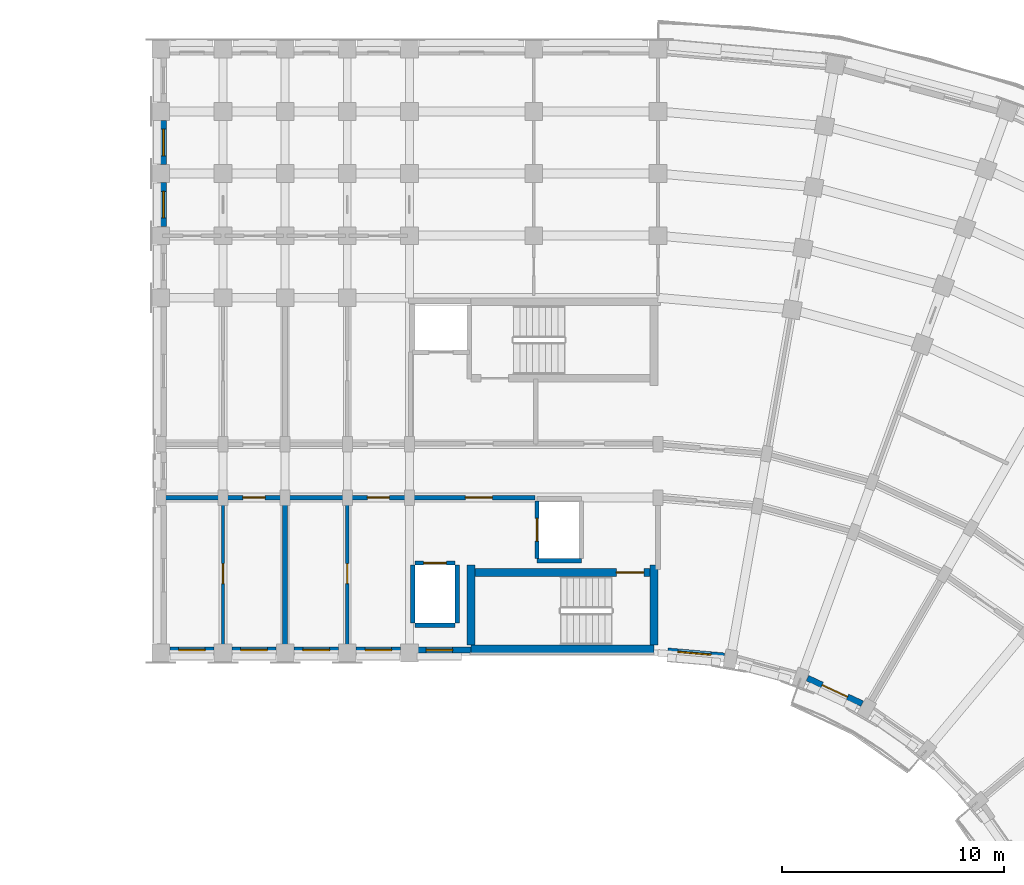
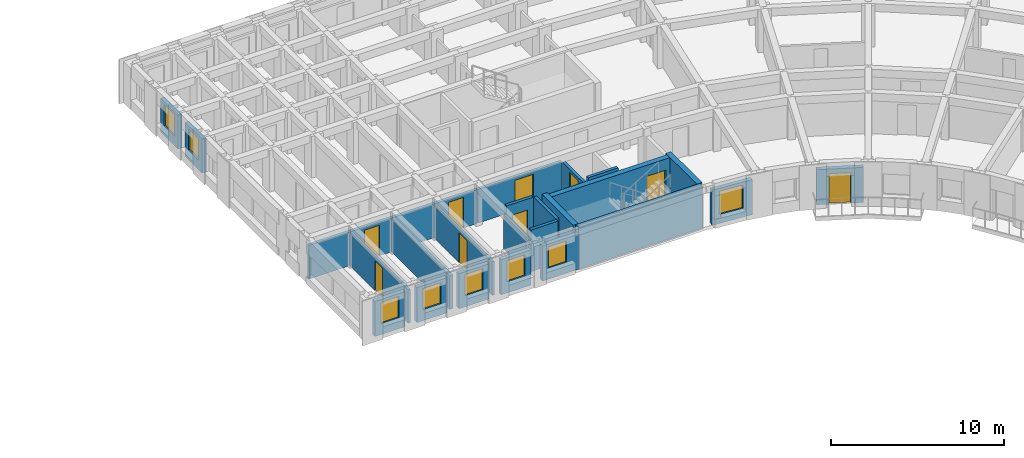
# One storey, part 28 of 54: 27 walls, 9 doors, 8 windows, 17 openings.
"""IFC4 building model written with IfcOpenShell, lengths in metres."""

from ifc_helpers import new_model, si_unit, direction, frame, frame_2d, origin, place, context, subcontext, project, spatial, rectangle, extrude, material, layer, layer_set, type_object, element, fill, save


model = new_model("IFC4")

# Units and contexts
model_context = context("Model", 3, precision=1e-05, world=origin(), true_north=direction((0.0, 1.0)))
body_context = subcontext(model_context, "Body", "Model", "MODEL_VIEW")
ifc_project = project(units=[si_unit("LENGTHUNIT", "METRE"), si_unit("AREAUNIT", "SQUARE_METRE"), si_unit("VOLUMEUNIT", "CUBIC_METRE"), si_unit("PLANEANGLEUNIT", "RADIAN"), si_unit("MASSUNIT", "GRAM", prefix="KILO")], contexts=[model_context])

# Site, building, storey
site_placement = place(None, origin())
site = spatial("IfcSite", under=ifc_project, at=site_placement, CompositionType="ELEMENT")
building_placement = place(site_placement, origin())
building = spatial("IfcBuilding", under=site, at=building_placement, Name="Kiranvali Square Residences", CompositionType="ELEMENT")
storey_placement = place(building_placement, frame((0.0, 0.0, 15.0)))
storey = spatial("IfcBuildingStorey", under=building, at=storey_placement, Name="L04", CompositionType="ELEMENT", Elevation=15.0)

# Wall, opening, door
ifc_material_1 = material(Name="Autoclaved aerated concrete blockwork masonry", Category="masonry")
ifc_layer_1 = layer(ifc_material_1, 0.199951171875)
ifc_layer_set_1 = layer_set([ifc_layer_1], Name="Autoclaved aerated concrete blockwork masonry")
wall_type_1 = type_object("IfcWallType", Name="WL-COR-200", PredefinedType="STANDARD", material=ifc_layer_set_1)
wall_1_placement = place(storey_placement, frame((114.25, 113.60009765625, 0.0), z_axis=(0.0, 0.0, 1.0), x_axis=(-1.0, 0.0, 0.0)))
wall_1 = element("IfcWall", 1, at=wall_1_placement, inside=storey, type_object=wall_type_1, Name="L04 architectural wall WL-L04-B-LL-COR", PredefinedType="STANDARD", context=body_context, shape_type="SweptSolid", body=[
    extrude(rectangle(XDim=5.60009765625, YDim=0.199951171875, at=frame_2d((2.800048828125, 0.0))), origin(), (0.0, 0.0, 1.0), 2.3720703125),
])
opening_1_placement = place(wall_1_placement, frame((1.909912109375, 0.0, 0.0)))
opening_1 = element("IfcOpeningElement", 2, at=opening_1_placement, cuts=wall_1, Name="Opening FD-COR-60", PredefinedType="OPENING", context=body_context, shape_type="SweptSolid", body=[
    extrude(rectangle(XDim=1.219970703125, YDim=2.14990234375, at=frame_2d((0.60986328125, 1.074951171875))), frame((0.0, 0.10986328125, 0.0), z_axis=(0.0, -1.0, 0.0), x_axis=(1.0, 0.0, 0.0)), (0.0, 0.0, 1.0), 0.219970703125),
])
ifc_material_2 = material(Name="Fire-rated acoustic hardwood and mineral-core door assembly", Category="wood")
door_type_1 = type_object("IfcDoorType", Name="DR-FD60-1200", OperationType="NOTDEFINED", PredefinedType="DOOR", material=ifc_material_2)
door_1_placement = place(opening_1_placement, origin())
door_1 = element("IfcDoor", 3, at=door_1_placement, inside=storey, type_object=door_type_1, Name="L04 door DR-L04-1203 (DR-FD60-1200)", OperationType="SINGLE_SWING_LEFT", OverallHeight=2.14990234375, OverallWidth=1.219970703125, PredefinedType="DOOR", context=body_context, shape_type="SweptSolid", body=[
    extrude(rectangle(XDim=1.219970703125, YDim=2.14990234375, at=frame_2d((0.60986328125, 1.074951171875))), frame((0.0, 0.02490234375, 0.0), z_axis=(0.0, -1.0, 0.0), x_axis=(1.0, 0.0, 0.0)), (0.0, 0.0, 1.0), 0.050048828125),
])
fill(opening_1, door_1)

wall_2_placement = place(storey_placement, frame((108.60009765625, 113.60009765625, 0.0), z_axis=(0.0, 0.0, 1.0), x_axis=(-1.0, 0.0, 0.0)))
wall_2 = element("IfcWall", 4, at=wall_2_placement, inside=storey, type_object=wall_type_1, Name="L04 architectural wall WL-L04-B-A1CI-0", PredefinedType="STANDARD", context=body_context, shape_type="SweptSolid", body=[
    extrude(rectangle(XDim=2.800048828125, YDim=0.199951171875, at=frame_2d((1.39990234375, 0.0))), origin(), (0.0, 0.0, 1.0), 2.3720703125),
])
opening_2_placement = place(wall_2_placement, frame((0.89990234375, 0.0, 0.0)))
opening_2 = element("IfcOpeningElement", 5, at=opening_2_placement, cuts=wall_2, Name="Opening FD-APT-60", PredefinedType="OPENING", context=body_context, shape_type="SweptSolid", body=[
    extrude(rectangle(XDim=1.0, YDim=2.14990234375, at=frame_2d((0.5, 1.074951171875))), frame((0.0, 0.10986328125, 0.0), z_axis=(0.0, -1.0, 0.0), x_axis=(1.0, 0.0, 0.0)), (0.0, 0.0, 1.0), 0.219970703125),
])
door_type_2 = type_object("IfcDoorType", Name="DR-APT-1000", OperationType="NOTDEFINED", PredefinedType="DOOR", material=ifc_material_2)
door_2_placement = place(opening_2_placement, origin())
door_2 = element("IfcDoor", 6, at=door_2_placement, inside=storey, type_object=door_type_2, Name="L04 door DR-L04-1207 (DR-APT-1000)", OperationType="SINGLE_SWING_LEFT", OverallHeight=2.14990234375, OverallWidth=1.0, PredefinedType="DOOR", context=body_context, shape_type="SweptSolid", body=[
    extrude(rectangle(XDim=1.0, YDim=2.14990234375, at=frame_2d((0.5, 1.074951171875))), frame((0.0, 0.02490234375, 0.0), z_axis=(0.0, -1.0, 0.0), x_axis=(1.0, 0.0, 0.0)), (0.0, 0.0, 1.0), 0.050048828125),
])
fill(opening_2, door_2)

# Wall
wall_3_placement = place(storey_placement, frame((105.800048828125, 113.60009765625, 0.0), z_axis=(0.0, 0.0, 1.0), x_axis=(-1.0, 0.0, 0.0)))
element("IfcWall", 7, at=wall_3_placement, inside=storey, type_object=wall_type_1, Name="L04 architectural wall WL-L04-B-A1CI-1", PredefinedType="STANDARD", context=body_context, shape_type="SweptSolid", body=[
    extrude(rectangle(XDim=2.800048828125, YDim=0.199951171875, at=frame_2d((1.39990234375, 0.0))), origin(), (0.0, 0.0, 1.0), 2.3720703125),
])

# Wall, opening, door
wall_4_placement = place(storey_placement, frame((103.0, 113.60009765625, 0.0), z_axis=(0.0, 0.0, 1.0), x_axis=(-1.0, 0.0, 0.0)))
wall_4 = element("IfcWall", 8, at=wall_4_placement, inside=storey, type_object=wall_type_1, Name="L04 architectural wall WL-L04-B-A1CI-2", PredefinedType="STANDARD", context=body_context, shape_type="SweptSolid", body=[
    extrude(rectangle(XDim=2.800048828125, YDim=0.199951171875, at=frame_2d((1.39990234375, 0.0))), origin(), (0.0, 0.0, 1.0), 2.3720703125),
])
opening_3_placement = place(wall_4_placement, frame((0.89990234375, 0.0, 0.0)))
opening_3 = element("IfcOpeningElement", 9, at=opening_3_placement, cuts=wall_4, Name="Opening FD-APT-60", PredefinedType="OPENING", context=body_context, shape_type="SweptSolid", body=[
    extrude(rectangle(XDim=1.0, YDim=2.14990234375, at=frame_2d((0.5, 1.074951171875))), frame((0.0, 0.10986328125, 0.0), z_axis=(0.0, -1.0, 0.0), x_axis=(1.0, 0.0, 0.0)), (0.0, 0.0, 1.0), 0.219970703125),
])
door_3_placement = place(opening_3_placement, origin())
door_3 = element("IfcDoor", 10, at=door_3_placement, inside=storey, type_object=door_type_2, Name="L04 door DR-L04-1211 (DR-APT-1000)", OperationType="SINGLE_SWING_LEFT", OverallHeight=2.14990234375, OverallWidth=1.0, PredefinedType="DOOR", context=body_context, shape_type="SweptSolid", body=[
    extrude(rectangle(XDim=1.0, YDim=2.14990234375, at=frame_2d((0.5, 1.074951171875))), frame((0.0, 0.02490234375, 0.0), z_axis=(0.0, -1.0, 0.0), x_axis=(1.0, 0.0, 0.0)), (0.0, 0.0, 1.0), 0.050048828125),
])
fill(opening_3, door_3)

# Walls
wall_5_placement = place(storey_placement, frame((100.199951171875, 113.60009765625, 0.0), z_axis=(0.0, 0.0, 1.0), x_axis=(-1.0, 0.0, 0.0)))
element("IfcWall", 11, at=wall_5_placement, inside=storey, type_object=wall_type_1, Name="L04 architectural wall WL-L04-B-A1CI-3", PredefinedType="STANDARD", context=body_context, shape_type="SweptSolid", body=[
    extrude(rectangle(XDim=2.800048828125, YDim=0.199951171875, at=frame_2d((1.39990234375, 0.0))), origin(), (0.0, 0.0, 1.0), 2.3720703125),
])
ifc_layer_2 = layer(ifc_material_1, 0.219970703125)
ifc_layer_set_2 = layer_set([ifc_layer_2], Name="Autoclaved aerated concrete blockwork masonry")
wall_type_2 = type_object("IfcWallType", Name="WL-DEM-220", PredefinedType="STANDARD", material=ifc_layer_set_2)
wall_6_placement = place(storey_placement, frame((103.0, 106.800048828125, 0.0), z_axis=(0.0, 0.0, 1.0), x_axis=(0.0, 1.0, 0.0)))
element("IfcWall", 12, at=wall_6_placement, inside=storey, type_object=wall_type_2, Name="L04 architectural wall WL-L04-B-A1TI-2", PredefinedType="STANDARD", context=body_context, shape_type="SweptSolid", body=[
    extrude(rectangle(XDim=6.75, YDim=0.219970703125, at=frame_2d((3.375, 0.0))), origin(), (0.0, 0.0, 1.0), 2.3720703125),
])

# Wall, opening, window
ifc_material_3 = material(Name="Breathable lime-rendered clay brick masonry", Category="masonry")
ifc_layer_3 = layer(ifc_material_3, 0.27490234375)
ifc_layer_set_3 = layer_set([ifc_layer_3], Name="Breathable lime-rendered clay brick masonry")
wall_type_3 = type_object("IfcWallType", Name="WL-EXT-275", PredefinedType="STANDARD", material=ifc_layer_set_3)
wall_7_placement = place(storey_placement, frame((120.249267578125, 106.686279296875, 0.0), z_axis=(0.0, 0.0, 1.0), x_axis=(0.996194235595, -0.08716102895, 0.0)))
wall_7 = element("IfcWall", 13, at=wall_7_placement, inside=storey, type_object=wall_type_3, Name="L04 exterior wall B-L04-GDN-00", PredefinedType="STANDARD", context=body_context, shape_type="SweptSolid", body=[
    extrude(rectangle(XDim=2.557373046875, YDim=0.27490234375, at=frame_2d((1.27880859375, 0.0))), origin(), (0.0, 0.0, 1.0), 2.471923828125),
])
opening_4_placement = place(wall_7_placement, frame((0.448486328125, 0.0, 0.6220703125)))
opening_4 = element("IfcOpeningElement", 14, at=opening_4_placement, cuts=wall_7, Name="Opening W-05", PredefinedType="OPENING", context=body_context, shape_type="SweptSolid", body=[
    extrude(rectangle(XDim=1.5, YDim=1.64990234375, at=frame_2d((0.75, 0.824951171875))), frame((0.0, 0.1474609375, 0.0), z_axis=(0.0, -1.0, 0.0), x_axis=(1.0, 0.0, 0.0)), (0.0, 0.0, 1.0), 0.294921875),
])
ifc_material_4 = material(Name="Solar-control low-e double glazing", Category="glass")
window_type_1 = type_object("IfcWindowType", Name="WIN-RES-1500x1650", PartitioningType="DOUBLE_PANEL_VERTICAL", PredefinedType="WINDOW", material=ifc_material_4)
window_1_placement = place(opening_4_placement, origin())
window_1 = element("IfcWindow", 15, at=window_1_placement, inside=storey, type_object=window_type_1, Name="L04 recessed window B-L04-GDN-00", OverallHeight=1.64990234375, OverallWidth=1.5, PartitioningType="DOUBLE_PANEL_VERTICAL", PredefinedType="WINDOW", context=body_context, shape_type="SweptSolid", body=[
    extrude(rectangle(XDim=1.5, YDim=1.64990234375, at=frame_2d((0.75, 0.824951171875))), frame((0.0, 0.030029296875, 0.0), z_axis=(0.0, -1.0, 0.0), x_axis=(1.0, 0.0, 0.0)), (0.0, 0.0, 1.0), 0.06005859375),
])
fill(opening_4, window_1)

# Wall, opening, door
wall_8_placement = place(storey_placement, frame((126.536376953125, 105.461181640625, 0.0), z_axis=(0.0, 0.0, 1.0), x_axis=(0.906311629168, -0.422610022166, 0.0)))
wall_8 = element("IfcWall", 16, at=wall_8_placement, inside=storey, type_object=wall_type_3, Name="L04 exterior wall B-L04-GDN-02", PredefinedType="STANDARD", context=body_context, shape_type="SweptSolid", body=[
    extrude(rectangle(XDim=2.717529296875, YDim=0.27490234375, at=frame_2d((1.35888671875, 0.0))), origin(), (0.0, 0.0, 1.0), 2.471923828125),
])
opening_5_placement = place(wall_8_placement, frame((0.728759765625, 0.0, 0.0)))
opening_5 = element("IfcOpeningElement", 17, at=opening_5_placement, cuts=wall_8, Name="Opening ED-BAL-2", PredefinedType="OPENING", context=body_context, shape_type="SweptSolid", body=[
    extrude(rectangle(XDim=1.260009765625, YDim=2.14990234375, at=frame_2d((0.6298828125, 1.074951171875))), frame((0.0, 0.1474609375, 0.0), z_axis=(0.0, -1.0, 0.0), x_axis=(1.0, 0.0, 0.0)), (0.0, 0.0, 1.0), 0.294921875),
])
ifc_material_5 = material(Name="Anodised bronze aluminium framing", Category="aluminium")
door_type_3 = type_object("IfcDoorType", Name="DR-BAL-1260", OperationType="NOTDEFINED", PredefinedType="DOOR", material=ifc_material_5)
door_4_placement = place(opening_5_placement, frame((1.260009765625, 0.0, 0.0), z_axis=(0.0, 0.0, 1.0), x_axis=(-1.0, 0.0, 0.0)))
door_4 = element("IfcDoor", 18, at=door_4_placement, inside=storey, type_object=door_type_3, Name="L04 balcony terrace door", OperationType="SINGLE_SWING_RIGHT", OverallHeight=2.14990234375, OverallWidth=1.260009765625, PredefinedType="DOOR", context=body_context, shape_type="SweptSolid", body=[
    extrude(rectangle(XDim=1.260009765625, YDim=2.14990234375, at=frame_2d((0.6298828125, 1.074951171875))), frame((0.0, 0.02490234375, 0.0), z_axis=(0.0, -1.0, 0.0), x_axis=(1.0, 0.0, 0.0)), (0.0, 0.0, 1.0), 0.050048828125),
])
fill(opening_5, door_4)

# Wall, opening, window
wall_9_placement = place(storey_placement, frame((111.37158203125, 106.72509765625, 0.0), z_axis=(0.0, 0.0, 1.0), x_axis=(-1.0, 0.0, 0.0)))
wall_9 = element("IfcWall", 19, at=wall_9_placement, inside=storey, type_object=wall_type_3, Name="L04 exterior wall B-L04-A1IN-0", PredefinedType="STANDARD", context=body_context, shape_type="SweptSolid", body=[
    extrude(rectangle(XDim=2.421630859375, YDim=0.27490234375, at=frame_2d((1.2109375, 0.0))), origin(), (0.0, 0.0, 1.0), 2.471923828125),
])
opening_6_placement = place(wall_9_placement, frame((0.821533203125, 0.0, 0.77197265625)))
opening_6 = element("IfcOpeningElement", 20, at=opening_6_placement, cuts=wall_9, Name="Opening W-06", PredefinedType="OPENING", context=body_context, shape_type="SweptSolid", body=[
    extrude(rectangle(XDim=1.199951171875, YDim=1.5, at=frame_2d((0.60009765625, 0.75))), frame((0.0, 0.1474609375, 0.0), z_axis=(0.0, -1.0, 0.0), x_axis=(1.0, 0.0, 0.0)), (0.0, 0.0, 1.0), 0.294921875),
])
window_type_2 = type_object("IfcWindowType", Name="WIN-RES-1200x1500", PartitioningType="SINGLE_PANEL", PredefinedType="WINDOW", material=ifc_material_4)
window_2_placement = place(opening_6_placement, origin())
window_2 = element("IfcWindow", 21, at=window_2_placement, inside=storey, type_object=window_type_2, Name="L04 recessed window B-L04-A1IN-0", OverallHeight=1.5, OverallWidth=1.199951171875, PartitioningType="SINGLE_PANEL", PredefinedType="WINDOW", context=body_context, shape_type="SweptSolid", body=[
    extrude(rectangle(XDim=1.199951171875, YDim=1.5, at=frame_2d((0.60009765625, 0.75))), frame((0.0, 0.030029296875, 0.0), z_axis=(0.0, -1.0, 0.0), x_axis=(1.0, 0.0, 0.0)), (0.0, 0.0, 1.0), 0.06005859375),
])
fill(opening_6, window_2)

wall_10_placement = place(storey_placement, frame((108.196533203125, 106.72509765625, 0.0), z_axis=(0.0, 0.0, 1.0), x_axis=(-1.0, 0.0, 0.0)))
wall_10 = element("IfcWall", 22, at=wall_10_placement, inside=storey, type_object=wall_type_3, Name="L04 exterior wall B-L04-A1I-0", PredefinedType="STANDARD", context=body_context, shape_type="SweptSolid", body=[
    extrude(rectangle(XDim=1.992919921875, YDim=0.27490234375, at=frame_2d((0.99658203125, 0.0))), origin(), (0.0, 0.0, 1.0), 2.471923828125),
])
opening_7_placement = place(wall_10_placement, frame((0.396484375, 0.0, 0.77197265625)))
opening_7 = element("IfcOpeningElement", 23, at=opening_7_placement, cuts=wall_10, Name="Opening W-06", PredefinedType="OPENING", context=body_context, shape_type="SweptSolid", body=[
    extrude(rectangle(XDim=1.199951171875, YDim=1.5, at=frame_2d((0.60009765625, 0.75))), frame((0.0, 0.1474609375, 0.0), z_axis=(0.0, -1.0, 0.0), x_axis=(1.0, 0.0, 0.0)), (0.0, 0.0, 1.0), 0.294921875),
])
window_3_placement = place(opening_7_placement, origin())
window_3 = element("IfcWindow", 24, at=window_3_placement, inside=storey, type_object=window_type_2, Name="L04 recessed window B-L04-A1I-0", OverallHeight=1.5, OverallWidth=1.199951171875, PartitioningType="SINGLE_PANEL", PredefinedType="WINDOW", context=body_context, shape_type="SweptSolid", body=[
    extrude(rectangle(XDim=1.199951171875, YDim=1.5, at=frame_2d((0.60009765625, 0.75))), frame((0.0, 0.030029296875, 0.0), z_axis=(0.0, -1.0, 0.0), x_axis=(1.0, 0.0, 0.0)), (0.0, 0.0, 1.0), 0.06005859375),
])
fill(opening_7, window_3)

wall_11_placement = place(storey_placement, frame((105.396484375, 106.72509765625, 0.0), z_axis=(0.0, 0.0, 1.0), x_axis=(-1.0, 0.0, 0.0)))
wall_11 = element("IfcWall", 25, at=wall_11_placement, inside=storey, type_object=wall_type_3, Name="L04 exterior wall B-L04-A1I-1", PredefinedType="STANDARD", context=body_context, shape_type="SweptSolid", body=[
    extrude(rectangle(XDim=1.992919921875, YDim=0.27490234375, at=frame_2d((0.99658203125, 0.0))), origin(), (0.0, 0.0, 1.0), 2.471923828125),
])
opening_8_placement = place(wall_11_placement, frame((0.396484375, 0.0, 0.77197265625)))
opening_8 = element("IfcOpeningElement", 26, at=opening_8_placement, cuts=wall_11, Name="Opening W-06", PredefinedType="OPENING", context=body_context, shape_type="SweptSolid", body=[
    extrude(rectangle(XDim=1.199951171875, YDim=1.5, at=frame_2d((0.60009765625, 0.75))), frame((0.0, 0.1474609375, 0.0), z_axis=(0.0, -1.0, 0.0), x_axis=(1.0, 0.0, 0.0)), (0.0, 0.0, 1.0), 0.294921875),
])
window_4_placement = place(opening_8_placement, origin())
window_4 = element("IfcWindow", 27, at=window_4_placement, inside=storey, type_object=window_type_2, Name="L04 recessed window B-L04-A1I-1", OverallHeight=1.5, OverallWidth=1.199951171875, PartitioningType="SINGLE_PANEL", PredefinedType="WINDOW", context=body_context, shape_type="SweptSolid", body=[
    extrude(rectangle(XDim=1.199951171875, YDim=1.5, at=frame_2d((0.60009765625, 0.75))), frame((0.0, 0.030029296875, 0.0), z_axis=(0.0, -1.0, 0.0), x_axis=(1.0, 0.0, 0.0)), (0.0, 0.0, 1.0), 0.06005859375),
])
fill(opening_8, window_4)

wall_12_placement = place(storey_placement, frame((102.596435546875, 106.72509765625, 0.0), z_axis=(0.0, 0.0, 1.0), x_axis=(-1.0, 0.0, 0.0)))
wall_12 = element("IfcWall", 28, at=wall_12_placement, inside=storey, type_object=wall_type_3, Name="L04 exterior wall B-L04-A1I-2", PredefinedType="STANDARD", context=body_context, shape_type="SweptSolid", body=[
    extrude(rectangle(XDim=1.992919921875, YDim=0.27490234375, at=frame_2d((0.99658203125, 0.0))), origin(), (0.0, 0.0, 1.0), 2.471923828125),
])
opening_9_placement = place(wall_12_placement, frame((0.396484375, 0.0, 0.77197265625)))
opening_9 = element("IfcOpeningElement", 29, at=opening_9_placement, cuts=wall_12, Name="Opening W-06", PredefinedType="OPENING", context=body_context, shape_type="SweptSolid", body=[
    extrude(rectangle(XDim=1.199951171875, YDim=1.5, at=frame_2d((0.60009765625, 0.75))), frame((0.0, 0.1474609375, 0.0), z_axis=(0.0, -1.0, 0.0), x_axis=(1.0, 0.0, 0.0)), (0.0, 0.0, 1.0), 0.294921875),
])
window_5_placement = place(opening_9_placement, origin())
window_5 = element("IfcWindow", 30, at=window_5_placement, inside=storey, type_object=window_type_2, Name="L04 recessed window B-L04-A1I-2", OverallHeight=1.5, OverallWidth=1.199951171875, PartitioningType="SINGLE_PANEL", PredefinedType="WINDOW", context=body_context, shape_type="SweptSolid", body=[
    extrude(rectangle(XDim=1.199951171875, YDim=1.5, at=frame_2d((0.60009765625, 0.75))), frame((0.0, 0.030029296875, 0.0), z_axis=(0.0, -1.0, 0.0), x_axis=(1.0, 0.0, 0.0)), (0.0, 0.0, 1.0), 0.06005859375),
])
fill(opening_9, window_5)

wall_13_placement = place(storey_placement, frame((99.79638671875, 106.72509765625, 0.0), z_axis=(0.0, 0.0, 1.0), x_axis=(-1.0, 0.0, 0.0)))
wall_13 = element("IfcWall", 31, at=wall_13_placement, inside=storey, type_object=wall_type_3, Name="L04 exterior wall B-L04-A1I-3", PredefinedType="STANDARD", context=body_context, shape_type="SweptSolid", body=[
    extrude(rectangle(XDim=1.992919921875, YDim=0.27490234375, at=frame_2d((0.99658203125, 0.0))), origin(), (0.0, 0.0, 1.0), 2.471923828125),
])
opening_10_placement = place(wall_13_placement, frame((0.396484375, 0.0, 0.77197265625)))
opening_10 = element("IfcOpeningElement", 32, at=opening_10_placement, cuts=wall_13, Name="Opening W-06", PredefinedType="OPENING", context=body_context, shape_type="SweptSolid", body=[
    extrude(rectangle(XDim=1.199951171875, YDim=1.5, at=frame_2d((0.60009765625, 0.75))), frame((0.0, 0.1474609375, 0.0), z_axis=(0.0, -1.0, 0.0), x_axis=(1.0, 0.0, 0.0)), (0.0, 0.0, 1.0), 0.294921875),
])
window_6_placement = place(opening_10_placement, origin())
window_6 = element("IfcWindow", 33, at=window_6_placement, inside=storey, type_object=window_type_2, Name="L04 recessed window B-L04-A1I-3", OverallHeight=1.5, OverallWidth=1.199951171875, PartitioningType="SINGLE_PANEL", PredefinedType="WINDOW", context=body_context, shape_type="SweptSolid", body=[
    extrude(rectangle(XDim=1.199951171875, YDim=1.5, at=frame_2d((0.60009765625, 0.75))), frame((0.0, 0.030029296875, 0.0), z_axis=(0.0, -1.0, 0.0), x_axis=(1.0, 0.0, 0.0)), (0.0, 0.0, 1.0), 0.06005859375),
])
fill(opening_10, window_6)

wall_14_placement = place(storey_placement, frame((97.52490234375, 125.803466796875, 0.0), z_axis=(0.0, 0.0, 1.0), x_axis=(0.0, 1.0, 0.0)))
wall_14 = element("IfcWall", 34, at=wall_14_placement, inside=storey, type_object=wall_type_3, Name="L04 exterior wall B-L04-A1END-4", PredefinedType="STANDARD", context=body_context, shape_type="SweptSolid", body=[
    extrude(rectangle(XDim=1.992919921875, YDim=0.27490234375, at=frame_2d((0.99658203125, 0.0))), origin(), (0.0, 0.0, 1.0), 2.3720703125),
])
opening_11_placement = place(wall_14_placement, frame((0.396484375, 0.0, 0.672119140625)))
opening_11 = element("IfcOpeningElement", 35, at=opening_11_placement, cuts=wall_14, Name="Opening W-06", PredefinedType="OPENING", context=body_context, shape_type="SweptSolid", body=[
    extrude(rectangle(XDim=1.199951171875, YDim=1.5, at=frame_2d((0.60009765625, 0.75))), frame((0.0, 0.1474609375, 0.0), z_axis=(0.0, -1.0, 0.0), x_axis=(1.0, 0.0, 0.0)), (0.0, 0.0, 1.0), 0.294921875),
])
window_7_placement = place(opening_11_placement, origin())
window_7 = element("IfcWindow", 36, at=window_7_placement, inside=storey, type_object=window_type_2, Name="L04 recessed window B-L04-A1END-4", OverallHeight=1.5, OverallWidth=1.199951171875, PartitioningType="SINGLE_PANEL", PredefinedType="WINDOW", context=body_context, shape_type="SweptSolid", body=[
    extrude(rectangle(XDim=1.199951171875, YDim=1.5, at=frame_2d((0.60009765625, 0.75))), frame((0.0, 0.030029296875, 0.0), z_axis=(0.0, -1.0, 0.0), x_axis=(1.0, 0.0, 0.0)), (0.0, 0.0, 1.0), 0.06005859375),
])
fill(opening_11, window_7)

wall_15_placement = place(storey_placement, frame((97.52490234375, 128.603515625, 0.0), z_axis=(0.0, 0.0, 1.0), x_axis=(0.0, 1.0, 0.0)))
wall_15 = element("IfcWall", 37, at=wall_15_placement, inside=storey, type_object=wall_type_3, Name="L04 exterior wall B-L04-A1END-5", PredefinedType="STANDARD", context=body_context, shape_type="SweptSolid", body=[
    extrude(rectangle(XDim=1.992919921875, YDim=0.27490234375, at=frame_2d((0.99658203125, 0.0))), origin(), (0.0, 0.0, 1.0), 2.3720703125),
])
opening_12_placement = place(wall_15_placement, frame((0.396484375, 0.0, 0.672119140625)))
opening_12 = element("IfcOpeningElement", 38, at=opening_12_placement, cuts=wall_15, Name="Opening W-06", PredefinedType="OPENING", context=body_context, shape_type="SweptSolid", body=[
    extrude(rectangle(XDim=1.199951171875, YDim=1.5, at=frame_2d((0.60009765625, 0.75))), frame((0.0, 0.1474609375, 0.0), z_axis=(0.0, -1.0, 0.0), x_axis=(1.0, 0.0, 0.0)), (0.0, 0.0, 1.0), 0.294921875),
])
window_8_placement = place(opening_12_placement, origin())
window_8 = element("IfcWindow", 39, at=window_8_placement, inside=storey, type_object=window_type_2, Name="L04 recessed window B-L04-A1END-5", OverallHeight=1.5, OverallWidth=1.199951171875, PartitioningType="SINGLE_PANEL", PredefinedType="WINDOW", context=body_context, shape_type="SweptSolid", body=[
    extrude(rectangle(XDim=1.199951171875, YDim=1.5, at=frame_2d((0.60009765625, 0.75))), frame((0.0, 0.030029296875, 0.0), z_axis=(0.0, -1.0, 0.0), x_axis=(1.0, 0.0, 0.0)), (0.0, 0.0, 1.0), 0.06005859375),
])
fill(opening_12, window_8)

# Wall, opening, door
ifc_material_6 = material(Name="Acoustic gypsum board drylined partition", Category="gypsum")
ifc_layer_4 = layer(ifc_material_6, 0.14990234375)
ifc_layer_set_4 = layer_set([ifc_layer_4], Name="Acoustic gypsum board drylined partition")
wall_type_4 = type_object("IfcWallType", Name="WL-PRT-150", PredefinedType="PARTITIONING", material=ifc_layer_set_4)
wall_16_placement = place(storey_placement, frame((105.800048828125, 106.800048828125, 0.0), z_axis=(0.0, 0.0, 1.0), x_axis=(0.0, 1.0, 0.0)))
wall_16 = element("IfcWall", 40, at=wall_16_placement, inside=storey, type_object=wall_type_4, Name="L04 architectural wall WL-L04-B-A1TI-1", PredefinedType="PARTITIONING", context=body_context, shape_type="SweptSolid", body=[
    extrude(rectangle(XDim=6.75, YDim=0.14990234375, at=frame_2d((3.375, 0.0))), origin(), (0.0, 0.0, 1.0), 2.3720703125),
])
opening_13_placement = place(wall_16_placement, frame((2.925048828125, 0.0, 0.0)))
opening_13 = element("IfcOpeningElement", 41, at=opening_13_placement, cuts=wall_16, Name="Opening ID-1", PredefinedType="OPENING", context=body_context, shape_type="SweptSolid", body=[
    extrude(rectangle(XDim=0.89990234375, YDim=2.10009765625, at=frame_2d((0.449951171875, 1.050048828125))), frame((0.0, 0.0849609375, 0.0), z_axis=(0.0, -1.0, 0.0), x_axis=(1.0, 0.0, 0.0)), (0.0, 0.0, 1.0), 0.169921875),
])
ifc_material_7 = material(Name="Solid seasoned teak hardwood joinery", Category="wood")
door_type_4 = type_object("IfcDoorType", Name="DR-INT-900", OperationType="NOTDEFINED", PredefinedType="DOOR", material=ifc_material_7)
door_5_placement = place(opening_13_placement, frame((0.89990234375, 0.0, 0.0), z_axis=(0.0, 0.0, 1.0), x_axis=(-1.0, 0.0, 0.0)))
door_5 = element("IfcDoor", 42, at=door_5_placement, inside=storey, type_object=door_type_4, Name="L04 door DR-L04-1216 (DR-INT-900)", OperationType="SINGLE_SWING_RIGHT", OverallHeight=2.10009765625, OverallWidth=0.89990234375, PredefinedType="DOOR", context=body_context, shape_type="SweptSolid", body=[
    extrude(rectangle(XDim=0.89990234375, YDim=2.10009765625, at=frame_2d((0.449951171875, 1.050048828125))), frame((0.0, 0.02490234375, 0.0), z_axis=(0.0, -1.0, 0.0), x_axis=(1.0, 0.0, 0.0)), (0.0, 0.0, 1.0), 0.050048828125),
])
fill(opening_13, door_5)

wall_17_placement = place(storey_placement, frame((100.199951171875, 106.800048828125, 0.0), z_axis=(0.0, 0.0, 1.0), x_axis=(0.0, 1.0, 0.0)))
wall_17 = element("IfcWall", 43, at=wall_17_placement, inside=storey, type_object=wall_type_4, Name="L04 architectural wall WL-L04-B-A1TI-3", PredefinedType="PARTITIONING", context=body_context, shape_type="SweptSolid", body=[
    extrude(rectangle(XDim=6.75, YDim=0.14990234375, at=frame_2d((3.375, 0.0))), origin(), (0.0, 0.0, 1.0), 2.3720703125),
])
opening_14_placement = place(wall_17_placement, frame((2.925048828125, 0.0, 0.0)))
opening_14 = element("IfcOpeningElement", 44, at=opening_14_placement, cuts=wall_17, Name="Opening ID-1", PredefinedType="OPENING", context=body_context, shape_type="SweptSolid", body=[
    extrude(rectangle(XDim=0.89990234375, YDim=2.10009765625, at=frame_2d((0.449951171875, 1.050048828125))), frame((0.0, 0.0849609375, 0.0), z_axis=(0.0, -1.0, 0.0), x_axis=(1.0, 0.0, 0.0)), (0.0, 0.0, 1.0), 0.169921875),
])
door_6_placement = place(opening_14_placement, origin())
door_6 = element("IfcDoor", 45, at=door_6_placement, inside=storey, type_object=door_type_4, Name="L04 door DR-L04-1219 (DR-INT-900)", OperationType="SINGLE_SWING_LEFT", OverallHeight=2.10009765625, OverallWidth=0.89990234375, PredefinedType="DOOR", context=body_context, shape_type="SweptSolid", body=[
    extrude(rectangle(XDim=0.89990234375, YDim=2.10009765625, at=frame_2d((0.449951171875, 1.050048828125))), frame((0.0, 0.02490234375, 0.0), z_axis=(0.0, -1.0, 0.0), x_axis=(1.0, 0.0, 0.0)), (0.0, 0.0, 1.0), 0.050048828125),
])
fill(opening_14, door_6)

# Walls
ifc_layer_5 = layer(ifc_material_1, 0.199951171875)
ifc_layer_set_5 = layer_set([ifc_layer_5], Name="Autoclaved aerated concrete blockwork masonry")
wall_type_5 = type_object("IfcWallType", Name="WL-SHF-200", PredefinedType="STANDARD", material=ifc_layer_set_5)
wall_18_placement = place(storey_placement, frame((110.75, 107.949951171875, 0.0), z_axis=(0.0, 0.0, 1.0), x_axis=(0.0, 1.0, 0.0)))
element("IfcWall", 46, at=wall_18_placement, inside=storey, type_object=wall_type_5, Name="L04 architectural wall WL-L04-B-LP1-S1", PredefinedType="STANDARD", context=body_context, shape_type="SweptSolid", body=[
    extrude(rectangle(XDim=2.60009765625, YDim=0.199951171875, at=frame_2d((1.300048828125, 0.0))), origin(), (0.0, 0.0, 1.0), 2.929931640625),
])
wall_19_placement = place(storey_placement, frame((108.75, 107.949951171875, 0.0), z_axis=(0.0, 0.0, 1.0), x_axis=(0.0, 1.0, 0.0)))
element("IfcWall", 47, at=wall_19_placement, inside=storey, type_object=wall_type_5, Name="L04 architectural wall WL-L04-B-LP1-B", PredefinedType="STANDARD", context=body_context, shape_type="SweptSolid", body=[
    extrude(rectangle(XDim=2.60009765625, YDim=0.199951171875, at=frame_2d((1.300048828125, 0.0))), origin(), (0.0, 0.0, 1.0), 2.3720703125),
])
wall_20_placement = place(storey_placement, frame((110.64990234375, 107.85009765625, 0.0), z_axis=(0.0, 0.0, 1.0), x_axis=(-1.0, 0.0, 0.0)))
element("IfcWall", 48, at=wall_20_placement, inside=storey, type_object=wall_type_5, Name="L04 architectural wall WL-L04-B-LP1-S2", PredefinedType="STANDARD", context=body_context, shape_type="SweptSolid", body=[
    extrude(rectangle(XDim=1.7998046875, YDim=0.199951171875, at=frame_2d((0.89990234375, 0.0))), origin(), (0.0, 0.0, 1.0), 2.929931640625),
])

# Wall, opening, door
wall_21_placement = place(storey_placement, frame((110.64990234375, 110.64990234375, 0.0), z_axis=(0.0, 0.0, 1.0), x_axis=(-1.0, 0.0, 0.0)))
wall_21 = element("IfcWall", 49, at=wall_21_placement, inside=storey, type_object=wall_type_5, Name="L04 architectural wall WL-L04-B-LP1-F", PredefinedType="STANDARD", context=body_context, shape_type="SweptSolid", body=[
    extrude(rectangle(XDim=1.7998046875, YDim=0.199951171875, at=frame_2d((0.89990234375, 0.0))), origin(), (0.0, 0.0, 1.0), 2.929931640625),
])
opening_15_placement = place(wall_21_placement, frame((0.389892578125, 0.0, 0.0)))
opening_15 = element("IfcOpeningElement", 50, at=opening_15_placement, cuts=wall_21, Name="Opening LD-PAX-100", PredefinedType="OPENING", context=body_context, shape_type="SweptSolid", body=[
    extrude(rectangle(XDim=1.02001953125, YDim=2.14990234375, at=frame_2d((0.510009765625, 1.074951171875))), frame((0.0, 0.10986328125, 0.0), z_axis=(0.0, -1.0, 0.0), x_axis=(1.0, 0.0, 0.0)), (0.0, 0.0, 1.0), 0.219970703125),
])
door_type_5 = type_object("IfcDoorType", Name="DR-LIFT-1000", OperationType="SLIDING_TO_RIGHT", PredefinedType="DOOR", material=ifc_material_2)
door_7_placement = place(opening_15_placement, origin())
door_7 = element("IfcDoor", 51, at=door_7_placement, inside=storey, type_object=door_type_5, Name="L04 door DR-L04-1201 (DR-LIFT-1000)", OperationType="SLIDING_TO_RIGHT", OverallHeight=2.14990234375, OverallWidth=1.02001953125, PredefinedType="DOOR", context=body_context, shape_type="SweptSolid", body=[
    extrude(rectangle(XDim=1.02001953125, YDim=2.14990234375, at=frame_2d((0.510009765625, 1.074951171875))), frame((0.0, 0.02490234375, 0.0), z_axis=(0.0, -1.0, 0.0), x_axis=(1.0, 0.0, 0.0)), (0.0, 0.0, 1.0), 0.050048828125),
])
fill(opening_15, door_7)

# Wall
wall_22_placement = place(storey_placement, frame((116.35009765625, 110.75, 0.0), z_axis=(0.0, 0.0, 1.0), x_axis=(-1.0, 0.0, 0.0)))
element("IfcWall", 52, at=wall_22_placement, inside=storey, type_object=wall_type_5, Name="L04 architectural wall WL-L04-B-LP2-S0", PredefinedType="STANDARD", context=body_context, shape_type="SweptSolid", body=[
    extrude(rectangle(XDim=2.0, YDim=0.199951171875, at=frame_2d((1.0, 0.0))), origin(), (0.0, 0.0, 1.0), 2.929931640625),
])

# Wall, opening, door
wall_23_placement = place(storey_placement, frame((114.35009765625, 110.85009765625, 0.0), z_axis=(0.0, 0.0, 1.0), x_axis=(0.0, 1.0, 0.0)))
wall_23 = element("IfcWall", 53, at=wall_23_placement, inside=storey, type_object=wall_type_5, Name="L04 architectural wall WL-L04-B-LP2-F", PredefinedType="STANDARD", context=body_context, shape_type="SweptSolid", body=[
    extrude(rectangle(XDim=2.599853515625, YDim=0.199951171875, at=frame_2d((1.2998046875, 0.0))), origin(), (0.0, 0.0, 1.0), 2.3720703125),
])
opening_16_placement = place(wall_23_placement, frame((0.7900390625, 0.0, 0.0)))
opening_16 = element("IfcOpeningElement", 54, at=opening_16_placement, cuts=wall_23, Name="Opening LD-PAX-100", PredefinedType="OPENING", context=body_context, shape_type="SweptSolid", body=[
    extrude(rectangle(XDim=1.02001953125, YDim=2.14990234375, at=frame_2d((0.510009765625, 1.074951171875))), frame((0.0, 0.10986328125, 0.0), z_axis=(0.0, -1.0, 0.0), x_axis=(1.0, 0.0, 0.0)), (0.0, 0.0, 1.0), 0.219970703125),
])
door_8_placement = place(opening_16_placement, origin())
door_8 = element("IfcDoor", 55, at=door_8_placement, inside=storey, type_object=door_type_5, Name="L04 door DR-L04-1202 (DR-LIFT-1000)", OperationType="SLIDING_TO_RIGHT", OverallHeight=2.14990234375, OverallWidth=1.02001953125, PredefinedType="DOOR", context=body_context, shape_type="SweptSolid", body=[
    extrude(rectangle(XDim=1.02001953125, YDim=2.14990234375, at=frame_2d((0.510009765625, 1.074951171875))), frame((0.0, 0.02490234375, 0.0), z_axis=(0.0, -1.0, 0.0), x_axis=(1.0, 0.0, 0.0)), (0.0, 0.0, 1.0), 0.050048828125),
])
fill(opening_16, door_8)

# Wall
ifc_material_8 = material(Name="Concrete M50 (50 MPa)", Category="concrete")
ifc_layer_6 = layer(ifc_material_8, 0.35009765625)
ifc_layer_set_6 = layer_set([ifc_layer_6], Name="Concrete M50 (50 MPa)")
wall_type_6 = type_object("IfcWallType", Name="WL-SHR-350", PredefinedType="SHEAR", material=ifc_layer_set_6)
wall_24_placement = place(storey_placement, frame((119.625, 106.77490234375, 0.0), z_axis=(0.0, 0.0, 1.0), x_axis=(-1.0, 0.0, 0.0)))
element("IfcWall", 56, at=wall_24_placement, inside=storey, type_object=wall_type_6, Name="Block B core shear wall SW-B2-OUT-L04", PredefinedType="SHEAR", context=body_context, shape_type="SweptSolid", body=[
    extrude(rectangle(XDim=8.25, YDim=0.35009765625, at=frame_2d((4.125, 0.0))), origin(), (0.0, 0.0, 1.0), 2.929931640625),
])

# Wall, opening, door
wall_25_placement = place(storey_placement, frame((119.449951171875, 110.22509765625, 0.0), z_axis=(0.0, 0.0, 1.0), x_axis=(-1.0, 0.0, 0.0)))
wall_25 = element("IfcWall", 57, at=wall_25_placement, inside=storey, type_object=wall_type_6, Name="Block B core shear wall SW-B2-IN-L04", PredefinedType="SHEAR", context=body_context, shape_type="SweptSolid", body=[
    extrude(rectangle(XDim=7.89990234375, YDim=0.35009765625, at=frame_2d((3.949951171875, 0.0))), origin(), (0.0, 0.0, 1.0), 2.929931640625),
])
opening_17_placement = place(wall_25_placement, frame((0.280029296875, 0.0, 0.0)))
opening_17 = element("IfcOpeningElement", 58, at=opening_17_placement, cuts=wall_25, Name="Opening FD-ST-120", PredefinedType="OPENING", context=body_context, shape_type="SweptSolid", body=[
    extrude(rectangle(XDim=1.239990234375, YDim=2.14990234375, at=frame_2d((0.6201171875, 1.074951171875))), frame((0.0, 0.18505859375, 0.0), z_axis=(0.0, -1.0, 0.0), x_axis=(1.0, 0.0, 0.0)), (0.0, 0.0, 1.0), 0.3701171875),
])
door_type_6 = type_object("IfcDoorType", Name="DR-FD120-1200", OperationType="NOTDEFINED", PredefinedType="DOOR", material=ifc_material_2)
door_9_placement = place(opening_17_placement, origin())
door_9 = element("IfcDoor", 59, at=door_9_placement, inside=storey, type_object=door_type_6, Name="L04 door DR-L04-1199 (DR-FD120-1200)", OperationType="SINGLE_SWING_LEFT", OverallHeight=2.14990234375, OverallWidth=1.239990234375, PredefinedType="DOOR", context=body_context, shape_type="SweptSolid", body=[
    extrude(rectangle(XDim=1.239990234375, YDim=2.14990234375, at=frame_2d((0.6201171875, 1.074951171875))), frame((0.0, 0.02490234375, 0.0), z_axis=(0.0, -1.0, 0.0), x_axis=(1.0, 0.0, 0.0)), (0.0, 0.0, 1.0), 0.050048828125),
])
fill(opening_17, door_9)

# Walls
for number, where, z_axis, x_axis, name in (
    (60, (119.625, 106.949951171875, 0.0), (0.0, 0.0, 1.0), (0.0, 1.0, 0.0), "Block B core shear wall SW-B2-NEAR-L04"),
    (61, (111.375, 106.949951171875, 0.0), (0.0, 0.0, 1.0), (0.0, 1.0, 0.0), "Block B core shear wall SW-B2-FAR-L04"),
):
    element("IfcWall", number, at=place(storey_placement, frame(where, z_axis=z_axis, x_axis=x_axis)), inside=storey, type_object=wall_type_6, Name=name, PredefinedType="SHEAR", context=body_context, shape_type="SweptSolid", body=[
        extrude(rectangle(XDim=3.60009765625, YDim=0.35009765625, at=frame_2d((1.800048828125, 0.0))), origin(), (0.0, 0.0, 1.0), 2.929931640625),
    ])

save(model, "model.ifc")
